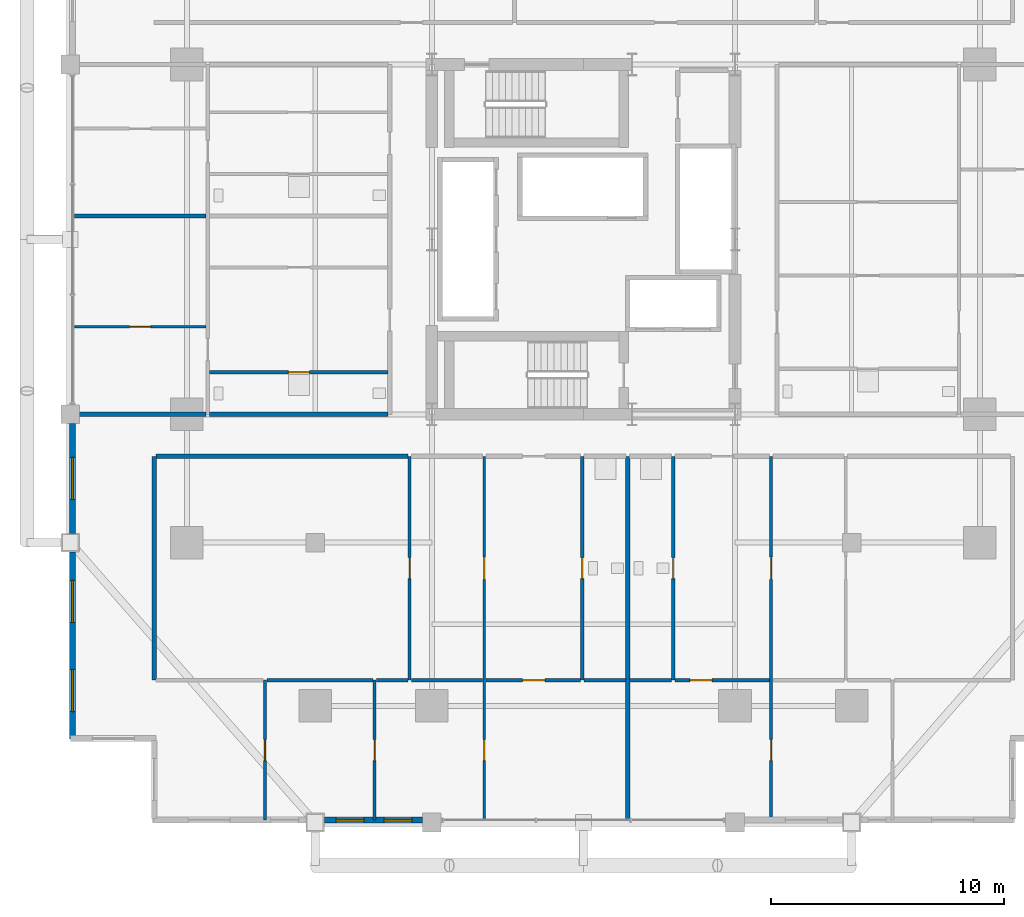
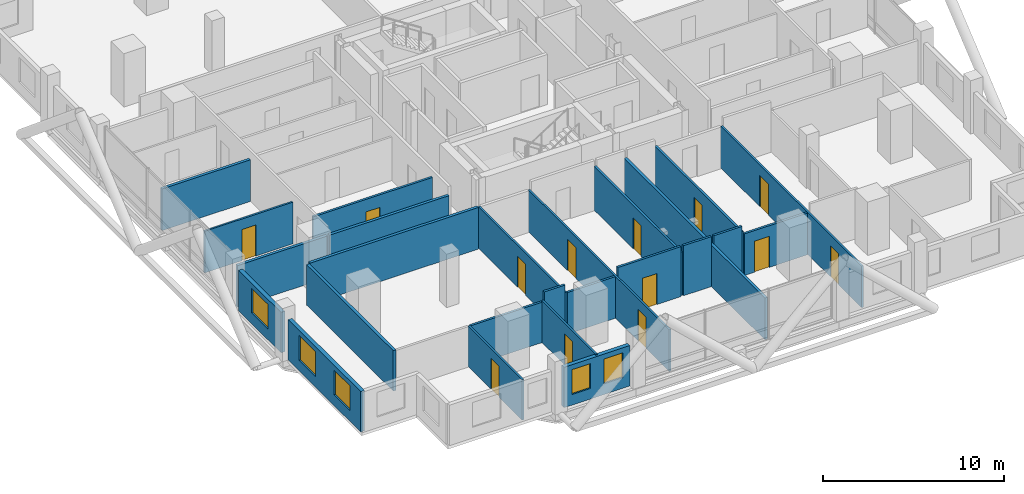
# One storey, part 21 of 27: 25 walls, 13 doors, 5 windows, 18 openings.
"""IFC4 building model written with IfcOpenShell, lengths in metres."""

from ifc_helpers import new_model, si_unit, direction, frame, frame_2d, origin, place, context, subcontext, project, spatial, rectangle, extrude, material, layer, layer_set, type_object, element, fill, save


model = new_model("IFC4")

# Units and contexts
model_context = context("Model", 3, precision=1e-05, world=origin(), true_north=direction((0.0, 1.0)))
body_context = subcontext(model_context, "Body", "Model", "MODEL_VIEW")
ifc_project = project(units=[si_unit("LENGTHUNIT", "METRE"), si_unit("AREAUNIT", "SQUARE_METRE"), si_unit("VOLUMEUNIT", "CUBIC_METRE"), si_unit("PLANEANGLEUNIT", "RADIAN"), si_unit("MASSUNIT", "GRAM", prefix="KILO")], contexts=[model_context])

# Site, building, storey
site_placement = place(None, origin())
site = spatial("IfcSite", under=ifc_project, at=site_placement, CompositionType="ELEMENT")
building_placement = place(site_placement, origin())
building = spatial("IfcBuilding", under=site, at=building_placement, Name="Barlavira Tower and Art Museum", CompositionType="ELEMENT")
storey_placement = place(building_placement, frame((0.0, 0.0, 50.39990234375)))
storey = spatial("IfcBuildingStorey", under=building, at=storey_placement, Name="L11", CompositionType="ELEMENT", Elevation=50.39990234375)

# Wall, opening, door
ifc_material_1 = material(Name="Gypsum acoustic stud partition", Category="gypsum")
ifc_layer_1 = layer(ifc_material_1, 0.1201171875, Name="Gypsum acoustic stud partition")
ifc_layer_set_1 = layer_set([ifc_layer_1], Name="Gypsum acoustic stud partition")
wall_type_1 = type_object("IfcWallType", Name="Apartment Internal Acoustic Partition 120", PredefinedType="PARTITIONING", material=ifc_layer_set_1)
wall_1_placement = place(storey_placement, frame((-13.64990234375, -24.89990234375, 0.0), z_axis=(0.0, 0.0, 1.0), x_axis=(0.0, 1.0, 0.0)))
wall_1 = element("IfcWall", 1, at=wall_1_placement, inside=storey, type_object=wall_type_1, Name="L11 Partition Wall 3", PredefinedType="PARTITIONING", context=body_context, shape_type="SweptSolid", body=[
    extrude(rectangle(XDim=6.0, YDim=0.1201171875, at=frame_2d((3.0, 0.0))), origin(), (0.0, 0.0, 1.0), 2.736083984375),
])
opening_1_placement = place(wall_1_placement, frame((2.550048828125, 0.0, 0.0)))
opening_1 = element("IfcOpeningElement", 2, at=opening_1_placement, cuts=wall_1, Name="Opening D-01", PredefinedType="OPENING", context=body_context, shape_type="SweptSolid", body=[
    extrude(rectangle(XDim=0.89990234375, YDim=2.10009765625, at=frame_2d((0.449951171875, 1.050048828125))), frame((0.0, 0.070068359375, 0.0), z_axis=(0.0, -1.0, 0.0), x_axis=(1.0, 0.0, 0.0)), (0.0, 0.0, 1.0), 0.14013671875),
])
ifc_material_2 = material(Name="Engineered coastal hardwood", Category="wood")
door_type_1 = type_object("IfcDoorType", Name="Internal Bedroom Timber Flush Door 900x2100", OperationType="NOTDEFINED", PredefinedType="DOOR", material=ifc_material_2)
door_1_placement = place(opening_1_placement, origin())
door_1 = element("IfcDoor", 3, at=door_1_placement, inside=storey, type_object=door_type_1, Name="Apartment S1 Bedroom 3 Door", OperationType="SINGLE_SWING_LEFT", OverallHeight=2.10009765625, OverallWidth=0.89990234375, PredefinedType="DOOR", context=body_context, shape_type="SweptSolid", body=[
    extrude(rectangle(XDim=0.89990234375, YDim=2.10009765625, at=frame_2d((0.449951171875, 1.050048828125))), frame((0.0, 0.02490234375, 0.0), z_axis=(0.0, -1.0, 0.0), x_axis=(1.0, 0.0, 0.0)), (0.0, 0.0, 1.0), 0.050048828125),
])
fill(opening_1, door_1)

wall_2_placement = place(storey_placement, frame((-8.949951171875, -24.89990234375, 0.0), z_axis=(0.0, 0.0, 1.0), x_axis=(0.0, 1.0, 0.0)))
wall_2 = element("IfcWall", 4, at=wall_2_placement, inside=storey, type_object=wall_type_1, Name="L11 Partition Wall 4", PredefinedType="PARTITIONING", context=body_context, shape_type="SweptSolid", body=[
    extrude(rectangle(XDim=6.0, YDim=0.1201171875, at=frame_2d((3.0, 0.0))), origin(), (0.0, 0.0, 1.0), 2.816162109375),
])
opening_2_placement = place(wall_2_placement, frame((2.550048828125, 0.0, 0.0)))
opening_2 = element("IfcOpeningElement", 5, at=opening_2_placement, cuts=wall_2, Name="Opening D-01", PredefinedType="OPENING", context=body_context, shape_type="SweptSolid", body=[
    extrude(rectangle(XDim=0.89990234375, YDim=2.10009765625, at=frame_2d((0.449951171875, 1.050048828125))), frame((0.0, 0.070068359375, 0.0), z_axis=(0.0, -1.0, 0.0), x_axis=(1.0, 0.0, 0.0)), (0.0, 0.0, 1.0), 0.14013671875),
])
door_2_placement = place(opening_2_placement, origin())
door_2 = element("IfcDoor", 6, at=door_2_placement, inside=storey, type_object=door_type_1, Name="Apartment S1 Bedroom 2 Door", OperationType="SINGLE_SWING_RIGHT", OverallHeight=2.10009765625, OverallWidth=0.89990234375, PredefinedType="DOOR", context=body_context, shape_type="SweptSolid", body=[
    extrude(rectangle(XDim=0.89990234375, YDim=2.10009765625, at=frame_2d((0.449951171875, 1.050048828125))), frame((0.0, 0.02490234375, 0.0), z_axis=(0.0, -1.0, 0.0), x_axis=(1.0, 0.0, 0.0)), (0.0, 0.0, 1.0), 0.050048828125),
])
fill(opening_2, door_2)

wall_3_placement = place(storey_placement, frame((-7.449951171875, -18.89990234375, 0.0), z_axis=(0.0, 0.0, 1.0), x_axis=(0.0, 1.0, 0.0)))
wall_3 = element("IfcWall", 7, at=wall_3_placement, inside=storey, type_object=wall_type_1, Name="L11 Partition Wall 6", PredefinedType="PARTITIONING", context=body_context, shape_type="SweptSolid", body=[
    extrude(rectangle(XDim=9.599853515625, YDim=0.1201171875, at=frame_2d((4.7998046875, 0.0))), origin(), (0.0, 0.0, 1.0), 2.816162109375),
])
opening_3_placement = place(wall_3_placement, frame((4.35009765625, 0.0, 0.0)))
opening_3 = element("IfcOpeningElement", 8, at=opening_3_placement, cuts=wall_3, Name="Opening D-01", PredefinedType="OPENING", context=body_context, shape_type="SweptSolid", body=[
    extrude(rectangle(XDim=0.89990234375, YDim=2.10009765625, at=frame_2d((0.449951171875, 1.050048828125))), frame((0.0, 0.070068359375, 0.0), z_axis=(0.0, -1.0, 0.0), x_axis=(1.0, 0.0, 0.0)), (0.0, 0.0, 1.0), 0.14013671875),
])
door_3_placement = place(opening_3_placement, origin())
door_3 = element("IfcDoor", 9, at=door_3_placement, inside=storey, type_object=door_type_1, Name="Apartment S1 Walk-In Dressing Room Door", OperationType="SINGLE_SWING_LEFT", OverallHeight=2.10009765625, OverallWidth=0.89990234375, PredefinedType="DOOR", context=body_context, shape_type="SweptSolid", body=[
    extrude(rectangle(XDim=0.89990234375, YDim=2.10009765625, at=frame_2d((0.449951171875, 1.050048828125))), frame((0.0, 0.02490234375, 0.0), z_axis=(0.0, -1.0, 0.0), x_axis=(1.0, 0.0, 0.0)), (0.0, 0.0, 1.0), 0.050048828125),
])
fill(opening_3, door_3)

# Wall, openings, doors
wall_4_placement = place(storey_placement, frame((-4.25, -24.89990234375, 0.0), z_axis=(0.0, 0.0, 1.0), x_axis=(0.0, 1.0, 0.0)))
wall_4 = element("IfcWall", 10, at=wall_4_placement, inside=storey, type_object=wall_type_1, Name="L11 Partition Wall 7", PredefinedType="PARTITIONING", context=body_context, shape_type="SweptSolid", body=[
    extrude(rectangle(XDim=15.599853515625, YDim=0.1201171875, at=frame_2d((7.7998046875, 0.0))), origin(), (0.0, 0.0, 1.0), 2.816162109375),
])
opening_4_placement = place(wall_4_placement, frame((10.324951171875, 0.0, 0.0)))
opening_4 = element("IfcOpeningElement", 11, at=opening_4_placement, cuts=wall_4, Name="Opening D-02", PredefinedType="OPENING", context=body_context, shape_type="SweptSolid", body=[
    extrude(rectangle(XDim=0.949951171875, YDim=2.10009765625, at=frame_2d((0.47509765625, 1.050048828125))), frame((0.0, 0.070068359375, 0.0), z_axis=(0.0, -1.0, 0.0), x_axis=(1.0, 0.0, 0.0)), (0.0, 0.0, 1.0), 0.14013671875),
])
opening_5_placement = place(wall_4_placement, frame((2.550048828125, 0.0, 0.0)))
opening_5 = element("IfcOpeningElement", 12, at=opening_5_placement, cuts=wall_4, Name="Opening D-01", PredefinedType="OPENING", context=body_context, shape_type="SweptSolid", body=[
    extrude(rectangle(XDim=0.89990234375, YDim=2.10009765625, at=frame_2d((0.449951171875, 1.050048828125))), frame((0.0, 0.070068359375, 0.0), z_axis=(0.0, -1.0, 0.0), x_axis=(1.0, 0.0, 0.0)), (0.0, 0.0, 1.0), 0.14013671875),
])
door_4_placement = place(opening_5_placement, origin())
door_4 = element("IfcDoor", 13, at=door_4_placement, inside=storey, type_object=door_type_1, Name="Apartment S1 Bedroom 1 Door", OperationType="SINGLE_SWING_LEFT", OverallHeight=2.10009765625, OverallWidth=0.89990234375, PredefinedType="DOOR", context=body_context, shape_type="SweptSolid", body=[
    extrude(rectangle(XDim=0.89990234375, YDim=2.10009765625, at=frame_2d((0.449951171875, 1.050048828125))), frame((0.0, 0.02490234375, 0.0), z_axis=(0.0, -1.0, 0.0), x_axis=(1.0, 0.0, 0.0)), (0.0, 0.0, 1.0), 0.050048828125),
])
fill(opening_5, door_4)
door_type_2 = type_object("IfcDoorType", Name="Living and Salon Glazed-Leaf Door 950x2100", OperationType="NOTDEFINED", PredefinedType="DOOR", material=ifc_material_2)
door_5_placement = place(opening_4_placement, origin())
door_5 = element("IfcDoor", 14, at=door_5_placement, inside=storey, type_object=door_type_2, Name="Apartment S1 Kitchen Door", OperationType="SINGLE_SWING_RIGHT", OverallHeight=2.10009765625, OverallWidth=0.949951171875, PredefinedType="DOOR", context=body_context, shape_type="SweptSolid", body=[
    extrude(rectangle(XDim=0.949951171875, YDim=2.10009765625, at=frame_2d((0.47509765625, 1.050048828125))), frame((0.0, 0.02490234375, 0.0), z_axis=(0.0, -1.0, 0.0), x_axis=(1.0, 0.0, 0.0)), (0.0, 0.0, 1.0), 0.050048828125),
])
fill(opening_4, door_5)

wall_5_placement = place(storey_placement, frame((8.050048828125, -24.89990234375, 0.0), z_axis=(0.0, 0.0, 1.0), x_axis=(0.0, 1.0, 0.0)))
wall_5 = element("IfcWall", 15, at=wall_5_placement, inside=storey, type_object=wall_type_1, Name="L11 Partition Wall 13", PredefinedType="PARTITIONING", context=body_context, shape_type="SweptSolid", body=[
    extrude(rectangle(XDim=15.599853515625, YDim=0.1201171875, at=frame_2d((7.7998046875, 0.0))), origin(), (0.0, 0.0, 1.0), 2.816162109375),
])
opening_6_placement = place(wall_5_placement, frame((10.324951171875, 0.0, 0.0)))
opening_6 = element("IfcOpeningElement", 16, at=opening_6_placement, cuts=wall_5, Name="Opening D-02", PredefinedType="OPENING", context=body_context, shape_type="SweptSolid", body=[
    extrude(rectangle(XDim=0.949951171875, YDim=2.10009765625, at=frame_2d((0.47509765625, 1.050048828125))), frame((0.0, 0.070068359375, 0.0), z_axis=(0.0, -1.0, 0.0), x_axis=(1.0, 0.0, 0.0)), (0.0, 0.0, 1.0), 0.14013671875),
])
opening_7_placement = place(wall_5_placement, frame((2.550048828125, 0.0, 0.0)))
opening_7 = element("IfcOpeningElement", 17, at=opening_7_placement, cuts=wall_5, Name="Opening D-01", PredefinedType="OPENING", context=body_context, shape_type="SweptSolid", body=[
    extrude(rectangle(XDim=0.89990234375, YDim=2.10009765625, at=frame_2d((0.449951171875, 1.050048828125))), frame((0.0, 0.070068359375, 0.0), z_axis=(0.0, -1.0, 0.0), x_axis=(1.0, 0.0, 0.0)), (0.0, 0.0, 1.0), 0.14013671875),
])
door_6_placement = place(opening_7_placement, origin())
door_6 = element("IfcDoor", 18, at=door_6_placement, inside=storey, type_object=door_type_1, Name="Apartment S2 Bedroom 1 Door", OperationType="SINGLE_SWING_LEFT", OverallHeight=2.10009765625, OverallWidth=0.89990234375, PredefinedType="DOOR", context=body_context, shape_type="SweptSolid", body=[
    extrude(rectangle(XDim=0.89990234375, YDim=2.10009765625, at=frame_2d((0.449951171875, 1.050048828125))), frame((0.0, 0.02490234375, 0.0), z_axis=(0.0, -1.0, 0.0), x_axis=(1.0, 0.0, 0.0)), (0.0, 0.0, 1.0), 0.050048828125),
])
fill(opening_7, door_6)
door_7_placement = place(opening_6_placement, origin())
door_7 = element("IfcDoor", 19, at=door_7_placement, inside=storey, type_object=door_type_2, Name="Apartment S2 Kitchen Door", OperationType="SINGLE_SWING_RIGHT", OverallHeight=2.10009765625, OverallWidth=0.949951171875, PredefinedType="DOOR", context=body_context, shape_type="SweptSolid", body=[
    extrude(rectangle(XDim=0.949951171875, YDim=2.10009765625, at=frame_2d((0.47509765625, 1.050048828125))), frame((0.0, 0.02490234375, 0.0), z_axis=(0.0, -1.0, 0.0), x_axis=(1.0, 0.0, 0.0)), (0.0, 0.0, 1.0), 0.050048828125),
])
fill(opening_6, door_7)

# Wall, opening, door
wall_6_placement = place(storey_placement, frame((-21.820068359375, -3.75, 0.0), z_axis=(0.0, 0.0, 1.0), x_axis=(1.0, 0.0, 0.0)))
wall_6 = element("IfcWall", 20, at=wall_6_placement, inside=storey, type_object=wall_type_1, Name="L11 Partition Wall 46", PredefinedType="PARTITIONING", context=body_context, shape_type="SweptSolid", body=[
    extrude(rectangle(XDim=5.64013671875, YDim=0.1201171875, at=frame_2d((2.820068359375, 0.0))), origin(), (0.0, 0.0, 1.0), 2.816162109375),
])
opening_8_placement = place(wall_6_placement, frame((2.3701171875, 0.0, 0.0)))
opening_8 = element("IfcOpeningElement", 21, at=opening_8_placement, cuts=wall_6, Name="Opening D-01", PredefinedType="OPENING", context=body_context, shape_type="SweptSolid", body=[
    extrude(rectangle(XDim=0.89990234375, YDim=2.10009765625, at=frame_2d((0.449951171875, 1.050048828125))), frame((0.0, 0.070068359375, 0.0), z_axis=(0.0, -1.0, 0.0), x_axis=(1.0, 0.0, 0.0)), (0.0, 0.0, 1.0), 0.14013671875),
])
door_8_placement = place(opening_8_placement, origin())
door_8 = element("IfcDoor", 22, at=door_8_placement, inside=storey, type_object=door_type_1, Name="Apartment W1 Bedroom 1 Door", OperationType="SINGLE_SWING_LEFT", OverallHeight=2.10009765625, OverallWidth=0.89990234375, PredefinedType="DOOR", context=body_context, shape_type="SweptSolid", body=[
    extrude(rectangle(XDim=0.89990234375, YDim=2.10009765625, at=frame_2d((0.449951171875, 1.050048828125))), frame((0.0, 0.02490234375, 0.0), z_axis=(0.0, -1.0, 0.0), x_axis=(1.0, 0.0, 0.0)), (0.0, 0.0, 1.0), 0.050048828125),
])
fill(opening_8, door_8)

# Walls
ifc_layer_2 = layer(ifc_material_1, 0.179931640625, Name="Gypsum acoustic stud partition")
ifc_layer_set_2 = layer_set([ifc_layer_2], Name="Gypsum acoustic stud partition")
wall_type_2 = type_object("IfcWallType", Name="Inter-Tenancy Party Partition Wall 180", PredefinedType="PARTITIONING", material=ifc_layer_set_2)
wall_7_placement = place(storey_placement, frame((-18.39990234375, -18.89990234375, 0.0), z_axis=(0.0, 0.0, 1.0), x_axis=(0.0, 1.0, 0.0)))
element("IfcWall", 23, at=wall_7_placement, inside=storey, type_object=wall_type_2, Name="L11 Partition Wall 1", PredefinedType="PARTITIONING", context=body_context, shape_type="SweptSolid", body=[
    extrude(rectangle(XDim=9.599853515625, YDim=0.179931640625, at=frame_2d((4.7998046875, 0.0))), origin(), (0.0, 0.0, 1.0), 2.736083984375),
])
wall_8_placement = place(storey_placement, frame((1.89990234375, -24.89990234375, 0.0), z_axis=(0.0, 0.0, 1.0), x_axis=(0.0, 1.0, 0.0)))
element("IfcWall", 24, at=wall_8_placement, inside=storey, type_object=wall_type_2, Name="L11 Partition Wall 10", PredefinedType="PARTITIONING", context=body_context, shape_type="SweptSolid", body=[
    extrude(rectangle(XDim=15.599853515625, YDim=0.179931640625, at=frame_2d((7.7998046875, 0.0))), origin(), (0.0, 0.0, 1.0), 2.816162109375),
])
wall_9_placement = place(storey_placement, frame((-18.320068359375, -9.300048828125, 0.0), z_axis=(0.0, 0.0, 1.0), x_axis=(1.0, 0.0, 0.0)))
element("IfcWall", 25, at=wall_9_placement, inside=storey, type_object=wall_type_2, Name="L11 Partition Wall 32", PredefinedType="PARTITIONING", context=body_context, shape_type="SweptSolid", body=[
    extrude(rectangle(XDim=10.7900390625, YDim=0.179931640625, at=frame_2d((5.39501953125, 0.0))), origin(), (0.0, 0.0, 1.0), 2.816162109375),
])
wall_10_placement = place(storey_placement, frame((-21.89990234375, -7.5, 0.0), z_axis=(0.0, 0.0, 1.0), x_axis=(1.0, 0.0, 0.0)))
element("IfcWall", 26, at=wall_10_placement, inside=storey, type_object=wall_type_2, Name="L11 Partition Wall 40", PredefinedType="PARTITIONING", context=body_context, shape_type="SweptSolid", body=[
    extrude(rectangle(XDim=5.719970703125, YDim=0.179931640625, at=frame_2d((2.85986328125, 0.0))), origin(), (0.0, 0.0, 1.0), 2.816162109375),
])
wall_11_placement = place(storey_placement, frame((-16.02001953125, -7.5, 0.0), z_axis=(0.0, 0.0, 1.0), x_axis=(1.0, 0.0, 0.0)))
element("IfcWall", 27, at=wall_11_placement, inside=storey, type_object=wall_type_2, Name="L11 Partition Wall 41", PredefinedType="PARTITIONING", context=body_context, shape_type="SweptSolid", body=[
    extrude(rectangle(XDim=7.64013671875, YDim=0.179931640625, at=frame_2d((3.820068359375, 0.0))), origin(), (0.0, 0.0, 1.0), 2.816162109375),
])
wall_12_placement = place(storey_placement, frame((-21.820068359375, 1.0, 0.0), z_axis=(0.0, 0.0, 1.0), x_axis=(1.0, 0.0, 0.0)))
element("IfcWall", 28, at=wall_12_placement, inside=storey, type_object=wall_type_2, Name="L11 Partition Wall 50", PredefinedType="PARTITIONING", context=body_context, shape_type="SweptSolid", body=[
    extrude(rectangle(XDim=5.64013671875, YDim=0.179931640625, at=frame_2d((2.820068359375, 0.0))), origin(), (0.0, 0.0, 1.0), 2.816162109375),
])

# Wall, opening, door
ifc_layer_3 = layer(ifc_material_1, 0.139892578125, Name="Gypsum acoustic stud partition")
ifc_layer_set_3 = layer_set([ifc_layer_3], Name="Gypsum acoustic stud partition")
wall_type_3 = type_object("IfcWallType", Name="Moisture-Resistant Bathroom Partition 140", PredefinedType="PARTITIONING", material=ifc_layer_set_3)
wall_13_placement = place(storey_placement, frame((-0.050048828125, -18.89990234375, 0.0), z_axis=(0.0, 0.0, 1.0), x_axis=(0.0, 1.0, 0.0)))
wall_13 = element("IfcWall", 29, at=wall_13_placement, inside=storey, type_object=wall_type_3, Name="L11 Partition Wall 9", PredefinedType="PARTITIONING", context=body_context, shape_type="SweptSolid", body=[
    extrude(rectangle(XDim=9.599853515625, YDim=0.139892578125, at=frame_2d((4.7998046875, 0.0))), origin(), (0.0, 0.0, 1.0), 2.947998046875),
])
opening_9_placement = place(wall_13_placement, frame((4.35009765625, 0.0, 0.0)))
opening_9 = element("IfcOpeningElement", 30, at=opening_9_placement, cuts=wall_13, Name="Opening D-WC", PredefinedType="OPENING", context=body_context, shape_type="SweptSolid", body=[
    extrude(rectangle(XDim=0.89990234375, YDim=2.10009765625, at=frame_2d((0.449951171875, 1.050048828125))), frame((0.0, 0.080078125, 0.0), z_axis=(0.0, -1.0, 0.0), x_axis=(1.0, 0.0, 0.0)), (0.0, 0.0, 1.0), 0.159912109375),
])
door_type_3 = type_object("IfcDoorType", Name="Accessible Bathroom Flush Door 900x2100", OperationType="NOTDEFINED", PredefinedType="DOOR", material=ifc_material_2)
door_9_placement = place(opening_9_placement, origin())
door_9 = element("IfcDoor", 31, at=door_9_placement, inside=storey, type_object=door_type_3, Name="Apartment S1 Hall Bathroom Door", OperationType="SINGLE_SWING_RIGHT", OverallHeight=2.10009765625, OverallWidth=0.89990234375, PredefinedType="DOOR", context=body_context, shape_type="SweptSolid", body=[
    extrude(rectangle(XDim=0.89990234375, YDim=2.10009765625, at=frame_2d((0.449951171875, 1.050048828125))), frame((0.0, 0.02490234375, 0.0), z_axis=(0.0, -1.0, 0.0), x_axis=(1.0, 0.0, 0.0)), (0.0, 0.0, 1.0), 0.050048828125),
])
fill(opening_9, door_9)

wall_14_placement = place(storey_placement, frame((3.85009765625, -18.89990234375, 0.0), z_axis=(0.0, 0.0, 1.0), x_axis=(0.0, 1.0, 0.0)))
wall_14 = element("IfcWall", 32, at=wall_14_placement, inside=storey, type_object=wall_type_3, Name="L11 Partition Wall 11", PredefinedType="PARTITIONING", context=body_context, shape_type="SweptSolid", body=[
    extrude(rectangle(XDim=9.599853515625, YDim=0.139892578125, at=frame_2d((4.7998046875, 0.0))), origin(), (0.0, 0.0, 1.0), 2.947998046875),
])
opening_10_placement = place(wall_14_placement, frame((4.35009765625, 0.0, 0.0)))
opening_10 = element("IfcOpeningElement", 33, at=opening_10_placement, cuts=wall_14, Name="Opening D-WC", PredefinedType="OPENING", context=body_context, shape_type="SweptSolid", body=[
    extrude(rectangle(XDim=0.89990234375, YDim=2.10009765625, at=frame_2d((0.449951171875, 1.050048828125))), frame((0.0, 0.080078125, 0.0), z_axis=(0.0, -1.0, 0.0), x_axis=(1.0, 0.0, 0.0)), (0.0, 0.0, 1.0), 0.159912109375),
])
door_10_placement = place(opening_10_placement, origin())
door_10 = element("IfcDoor", 34, at=door_10_placement, inside=storey, type_object=door_type_3, Name="Apartment S2 Hall Bathroom Door", OperationType="SINGLE_SWING_RIGHT", OverallHeight=2.10009765625, OverallWidth=0.89990234375, PredefinedType="DOOR", context=body_context, shape_type="SweptSolid", body=[
    extrude(rectangle(XDim=0.89990234375, YDim=2.10009765625, at=frame_2d((0.449951171875, 1.050048828125))), frame((0.0, 0.02490234375, 0.0), z_axis=(0.0, -1.0, 0.0), x_axis=(1.0, 0.0, 0.0)), (0.0, 0.0, 1.0), 0.050048828125),
])
fill(opening_10, door_10)

# Walls
wall_15_placement = place(storey_placement, frame((-13.570068359375, -18.89990234375, 0.0), z_axis=(0.0, 0.0, 1.0), x_axis=(1.0, 0.0, 0.0)))
element("IfcWall", 35, at=wall_15_placement, inside=storey, type_object=wall_type_3, Name="L11 Partition Wall 22", PredefinedType="PARTITIONING", context=body_context, shape_type="SweptSolid", body=[
    extrude(rectangle(XDim=4.5400390625, YDim=0.139892578125, at=frame_2d((2.27001953125, 0.0))), origin(), (0.0, 0.0, 1.0), 2.736083984375),
])
wall_16_placement = place(storey_placement, frame((-8.8701171875, -18.89990234375, 0.0), z_axis=(0.0, 0.0, 1.0), x_axis=(1.0, 0.0, 0.0)))
element("IfcWall", 36, at=wall_16_placement, inside=storey, type_object=wall_type_3, Name="L11 Partition Wall 23", PredefinedType="PARTITIONING", context=body_context, shape_type="SweptSolid", body=[
    extrude(rectangle(XDim=1.340087890625, YDim=0.139892578125, at=frame_2d((0.669921875, 0.0))), origin(), (0.0, 0.0, 1.0), 3.380126953125),
])
wall_17_placement = place(storey_placement, frame((-7.3701171875, -18.89990234375, 0.0), z_axis=(0.0, 0.0, 1.0), x_axis=(1.0, 0.0, 0.0)))
element("IfcWall", 37, at=wall_17_placement, inside=storey, type_object=wall_type_3, Name="L11 Partition Wall 24", PredefinedType="PARTITIONING", context=body_context, shape_type="SweptSolid", body=[
    extrude(rectangle(XDim=3.0400390625, YDim=0.139892578125, at=frame_2d((1.52001953125, 0.0))), origin(), (0.0, 0.0, 1.0), 2.816162109375),
])

# Wall, opening, door
wall_18_placement = place(storey_placement, frame((-4.169921875, -18.89990234375, 0.0), z_axis=(0.0, 0.0, 1.0), x_axis=(1.0, 0.0, 0.0)))
wall_18 = element("IfcWall", 38, at=wall_18_placement, inside=storey, type_object=wall_type_3, Name="L11 Partition Wall 25", PredefinedType="PARTITIONING", context=body_context, shape_type="SweptSolid", body=[
    extrude(rectangle(XDim=4.0400390625, YDim=0.139892578125, at=frame_2d((2.02001953125, 0.0))), origin(), (0.0, 0.0, 1.0), 3.380126953125),
])
opening_11_placement = place(wall_18_placement, frame((1.56494140625, 0.0, 0.0)))
opening_11 = element("IfcOpeningElement", 39, at=opening_11_placement, cuts=wall_18, Name="Opening D-02", PredefinedType="OPENING", context=body_context, shape_type="SweptSolid", body=[
    extrude(rectangle(XDim=0.949951171875, YDim=2.10009765625, at=frame_2d((0.47509765625, 1.050048828125))), frame((0.0, 0.080078125, 0.0), z_axis=(0.0, -1.0, 0.0), x_axis=(1.0, 0.0, 0.0)), (0.0, 0.0, 1.0), 0.159912109375),
])
door_11_placement = place(opening_11_placement, origin())
door_11 = element("IfcDoor", 40, at=door_11_placement, inside=storey, type_object=door_type_2, Name="Apartment S1 Living Lounge Door", OperationType="SINGLE_SWING_RIGHT", OverallHeight=2.10009765625, OverallWidth=0.949951171875, PredefinedType="DOOR", context=body_context, shape_type="SweptSolid", body=[
    extrude(rectangle(XDim=0.949951171875, YDim=2.10009765625, at=frame_2d((0.47509765625, 1.050048828125))), frame((0.0, 0.02490234375, 0.0), z_axis=(0.0, -1.0, 0.0), x_axis=(1.0, 0.0, 0.0)), (0.0, 0.0, 1.0), 0.050048828125),
])
fill(opening_11, door_11)

# Walls
for number, where, z_axis, x_axis, name in (
    (41, (0.030029296875, -18.89990234375, 0.0), (0.0, 0.0, 1.0), (1.0, 0.0, 0.0), "L11 Partition Wall 26"),
    (42, (1.97998046875, -18.89990234375, 0.0), (0.0, 0.0, 1.0), (1.0, 0.0, 0.0), "L11 Partition Wall 27"),
):
    element("IfcWall", number, at=place(storey_placement, frame(where, z_axis=z_axis, x_axis=x_axis)), inside=storey, type_object=wall_type_3, Name=name, PredefinedType="PARTITIONING", context=body_context, shape_type="SweptSolid", body=[
        extrude(rectangle(XDim=1.7900390625, YDim=0.139892578125, at=frame_2d((0.89501953125, 0.0))), origin(), (0.0, 0.0, 1.0), 3.380126953125),
    ])

# Wall, opening, door
wall_19_placement = place(storey_placement, frame((3.929931640625, -18.89990234375, 0.0), z_axis=(0.0, 0.0, 1.0), x_axis=(1.0, 0.0, 0.0)))
wall_19 = element("IfcWall", 43, at=wall_19_placement, inside=storey, type_object=wall_type_3, Name="L11 Partition Wall 28", PredefinedType="PARTITIONING", context=body_context, shape_type="SweptSolid", body=[
    extrude(rectangle(XDim=4.0400390625, YDim=0.139892578125, at=frame_2d((2.02001953125, 0.0))), origin(), (0.0, 0.0, 1.0), 2.816162109375),
])
opening_12_placement = place(wall_19_placement, frame((0.63818359375, 0.0, 0.0)))
opening_12 = element("IfcOpeningElement", 44, at=opening_12_placement, cuts=wall_19, Name="Opening D-02", PredefinedType="OPENING", context=body_context, shape_type="SweptSolid", body=[
    extrude(rectangle(XDim=0.949951171875, YDim=2.10009765625, at=frame_2d((0.47509765625, 1.050048828125))), frame((0.0, 0.080078125, 0.0), z_axis=(0.0, -1.0, 0.0), x_axis=(1.0, 0.0, 0.0)), (0.0, 0.0, 1.0), 0.159912109375),
])
door_12_placement = place(opening_12_placement, origin())
door_12 = element("IfcDoor", 45, at=door_12_placement, inside=storey, type_object=door_type_2, Name="Apartment S2 Living Lounge Door", OperationType="SINGLE_SWING_RIGHT", OverallHeight=2.10009765625, OverallWidth=0.949951171875, PredefinedType="DOOR", context=body_context, shape_type="SweptSolid", body=[
    extrude(rectangle(XDim=0.949951171875, YDim=2.10009765625, at=frame_2d((0.47509765625, 1.050048828125))), frame((0.0, 0.02490234375, 0.0), z_axis=(0.0, -1.0, 0.0), x_axis=(1.0, 0.0, 0.0)), (0.0, 0.0, 1.0), 0.050048828125),
])
fill(opening_12, door_12)

wall_20_placement = place(storey_placement, frame((-16.02001953125, -5.699951171875, 0.0), z_axis=(0.0, 0.0, 1.0), x_axis=(1.0, 0.0, 0.0)))
wall_20 = element("IfcWall", 46, at=wall_20_placement, inside=storey, type_object=wall_type_3, Name="L11 Partition Wall 44", PredefinedType="PARTITIONING", context=body_context, shape_type="SweptSolid", body=[
    extrude(rectangle(XDim=7.64013671875, YDim=0.139892578125, at=frame_2d((3.820068359375, 0.0))), origin(), (0.0, 0.0, 1.0), 2.947998046875),
])
opening_13_placement = place(wall_20_placement, frame((3.3701171875, 0.0, 0.0)))
opening_13 = element("IfcOpeningElement", 47, at=opening_13_placement, cuts=wall_20, Name="Opening D-WC", PredefinedType="OPENING", context=body_context, shape_type="SweptSolid", body=[
    extrude(rectangle(XDim=0.89990234375, YDim=2.10009765625, at=frame_2d((0.449951171875, 1.050048828125))), frame((0.0, 0.080078125, 0.0), z_axis=(0.0, -1.0, 0.0), x_axis=(1.0, 0.0, 0.0)), (0.0, 0.0, 1.0), 0.159912109375),
])
door_13_placement = place(opening_13_placement, origin())
door_13 = element("IfcDoor", 48, at=door_13_placement, inside=storey, type_object=door_type_3, Name="Apartment W1 Hall Bathroom Door", OperationType="SINGLE_SWING_LEFT", OverallHeight=2.10009765625, OverallWidth=0.89990234375, PredefinedType="DOOR", context=body_context, shape_type="SweptSolid", body=[
    extrude(rectangle(XDim=0.89990234375, YDim=2.10009765625, at=frame_2d((0.449951171875, 1.050048828125))), frame((0.0, 0.02490234375, 0.0), z_axis=(0.0, -1.0, 0.0), x_axis=(1.0, 0.0, 0.0)), (0.0, 0.0, 1.0), 0.050048828125),
])
fill(opening_13, door_13)

# Wall, openings, windows
ifc_material_3 = material(Name="Precast concrete C40", Category="concrete")
ifc_layer_4 = layer(ifc_material_3, 0.25, Name="Precast concrete C40")
ifc_layer_set_4 = layer_set([ifc_layer_4], Name="Precast concrete C40")
wall_type_4 = type_object("IfcWallType", Name="Notched Corner Spandrel Wall 250 Precast Concrete C40", PredefinedType="SOLIDWALL", material=ifc_layer_set_4)
wall_21_placement = place(storey_placement, frame((-11.10498046875, -24.89990234375, 0.0), z_axis=(0.0, 0.0, 1.0), x_axis=(1.0, 0.0, 0.0)))
wall_21 = element("IfcWall", 49, at=wall_21_placement, inside=storey, type_object=wall_type_4, Name="L11 Coastal Facade Pier Wall CW1-L11-S-2", PredefinedType="SOLIDWALL", context=body_context, shape_type="SweptSolid", body=[
    extrude(rectangle(XDim=4.2099609375, YDim=0.25, at=frame_2d((2.10498046875, 0.0))), origin(), (0.0, 0.0, 1.0), 2.736083984375),
])
opening_14_placement = place(wall_21_placement, frame((0.5, 0.0, 0.719970703125)))
opening_14 = element("IfcOpeningElement", 50, at=opening_14_placement, cuts=wall_21, Name="Opening WN-05", PredefinedType="OPENING", context=body_context, shape_type="SweptSolid", body=[
    extrude(rectangle(XDim=1.199951171875, YDim=1.679931640625, at=frame_2d((0.60009765625, 0.83984375))), frame((0.0, 0.135009765625, 0.0), z_axis=(0.0, -1.0, 0.0), x_axis=(1.0, 0.0, 0.0)), (0.0, 0.0, 1.0), 0.27001953125),
])
opening_15_placement = place(wall_21_placement, frame((2.56005859375, 0.0, 0.719970703125)))
opening_15 = element("IfcOpeningElement", 51, at=opening_15_placement, cuts=wall_21, Name="Opening WN-05", PredefinedType="OPENING", context=body_context, shape_type="SweptSolid", body=[
    extrude(rectangle(XDim=1.199951171875, YDim=1.679931640625, at=frame_2d((0.60009765625, 0.83984375))), frame((0.0, 0.135009765625, 0.0), z_axis=(0.0, -1.0, 0.0), x_axis=(1.0, 0.0, 0.0)), (0.0, 0.0, 1.0), 0.27001953125),
])
ifc_material_4 = material(Name="Low-iron coastal laminated glass", Category="glass")
window_type_1 = type_object("IfcWindowType", Name="Recessed Flank Pier Punch Window 1200x1680", PartitioningType="SINGLE_PANEL", PredefinedType="WINDOW", material=ifc_material_4)
window_1_placement = place(opening_14_placement, origin())
window_1 = element("IfcWindow", 52, at=window_1_placement, inside=storey, type_object=window_type_1, Name="L11 Punched Facade Window EWP-CW1-L11-S-2-1", OverallHeight=1.679931640625, OverallWidth=1.199951171875, PartitioningType="SINGLE_PANEL", PredefinedType="WINDOW", context=body_context, shape_type="SweptSolid", body=[
    extrude(rectangle(XDim=1.199951171875, YDim=1.679931640625, at=frame_2d((0.60009765625, 0.83984375))), frame((0.0, 0.030029296875, 0.0), z_axis=(0.0, -1.0, 0.0), x_axis=(1.0, 0.0, 0.0)), (0.0, 0.0, 1.0), 0.06005859375),
])
fill(opening_14, window_1)
window_2_placement = place(opening_15_placement, origin())
window_2 = element("IfcWindow", 53, at=window_2_placement, inside=storey, type_object=window_type_1, Name="L11 Punched Facade Window EWP-CW1-L11-S-2-2", OverallHeight=1.679931640625, OverallWidth=1.199951171875, PartitioningType="SINGLE_PANEL", PredefinedType="WINDOW", context=body_context, shape_type="SweptSolid", body=[
    extrude(rectangle(XDim=1.199951171875, YDim=1.679931640625, at=frame_2d((0.60009765625, 0.83984375))), frame((0.0, 0.030029296875, 0.0), z_axis=(0.0, -1.0, 0.0), x_axis=(1.0, 0.0, 0.0)), (0.0, 0.0, 1.0), 0.06005859375),
])
fill(opening_15, window_2)

# Wall, opening, window
wall_22_placement = place(storey_placement, frame((-21.89990234375, -7.89501953125, 0.0), z_axis=(0.0, 0.0, 1.0), x_axis=(0.0, -1.0, 0.0)))
wall_22 = element("IfcWall", 54, at=wall_22_placement, inside=storey, type_object=wall_type_4, Name="L11 Coastal Facade Pier Wall CW1-L11-W-4", PredefinedType="SOLIDWALL", context=body_context, shape_type="SweptSolid", body=[
    extrude(rectangle(XDim=4.7099609375, YDim=0.25, at=frame_2d((2.35498046875, 0.0))), origin(), (0.0, 0.0, 1.0), 2.736083984375),
])
opening_16_placement = place(wall_22_placement, frame((1.455078125, 0.0, 0.719970703125)))
opening_16 = element("IfcOpeningElement", 55, at=opening_16_placement, cuts=wall_22, Name="Opening WN-01", PredefinedType="OPENING", context=body_context, shape_type="SweptSolid", body=[
    extrude(rectangle(XDim=1.800048828125, YDim=1.679931640625, at=frame_2d((0.89990234375, 0.83984375))), frame((0.0, 0.135009765625, 0.0), z_axis=(0.0, -1.0, 0.0), x_axis=(1.0, 0.0, 0.0)), (0.0, 0.0, 1.0), 0.27001953125),
])
window_type_2 = type_object("IfcWindowType", Name="Recessed Notch Corner Punch Window 1800x1680", PartitioningType="SINGLE_PANEL", PredefinedType="WINDOW", material=ifc_material_4)
window_3_placement = place(opening_16_placement, origin())
window_3 = element("IfcWindow", 56, at=window_3_placement, inside=storey, type_object=window_type_2, Name="L11 Punched Facade Window EWP-CW1-L11-W-4-1", OverallHeight=1.679931640625, OverallWidth=1.800048828125, PartitioningType="SINGLE_PANEL", PredefinedType="WINDOW", context=body_context, shape_type="SweptSolid", body=[
    extrude(rectangle(XDim=1.800048828125, YDim=1.679931640625, at=frame_2d((0.89990234375, 0.83984375))), frame((0.0, 0.030029296875, 0.0), z_axis=(0.0, -1.0, 0.0), x_axis=(1.0, 0.0, 0.0)), (0.0, 0.0, 1.0), 0.06005859375),
])
fill(opening_16, window_3)

# Wall, openings, windows
wall_23_placement = place(storey_placement, frame((-21.89990234375, -13.39501953125, 0.0), z_axis=(0.0, 0.0, 1.0), x_axis=(0.0, -1.0, 0.0)))
wall_23 = element("IfcWall", 57, at=wall_23_placement, inside=storey, type_object=wall_type_4, Name="L11 Coastal Facade Pier Wall CW1-L11-W-5", PredefinedType="SOLIDWALL", context=body_context, shape_type="SweptSolid", body=[
    extrude(rectangle(XDim=8.030029296875, YDim=0.25, at=frame_2d((4.01513671875, 0.0))), origin(), (0.0, 0.0, 1.0), 2.736083984375),
])
opening_17_placement = place(wall_23_placement, frame((1.220947265625, 0.0, 0.719970703125)))
opening_17 = element("IfcOpeningElement", 58, at=opening_17_placement, cuts=wall_23, Name="Opening WN-01", PredefinedType="OPENING", context=body_context, shape_type="SweptSolid", body=[
    extrude(rectangle(XDim=1.800048828125, YDim=1.679931640625, at=frame_2d((0.89990234375, 0.83984375))), frame((0.0, 0.135009765625, 0.0), z_axis=(0.0, -1.0, 0.0), x_axis=(1.0, 0.0, 0.0)), (0.0, 0.0, 1.0), 0.27001953125),
])
opening_18_placement = place(wall_23_placement, frame((5.053955078125, 0.0, 0.719970703125)))
opening_18 = element("IfcOpeningElement", 59, at=opening_18_placement, cuts=wall_23, Name="Opening WN-01", PredefinedType="OPENING", context=body_context, shape_type="SweptSolid", body=[
    extrude(rectangle(XDim=1.800048828125, YDim=1.679931640625, at=frame_2d((0.89990234375, 0.83984375))), frame((0.0, 0.135009765625, 0.0), z_axis=(0.0, -1.0, 0.0), x_axis=(1.0, 0.0, 0.0)), (0.0, 0.0, 1.0), 0.27001953125),
])
window_4_placement = place(opening_17_placement, origin())
window_4 = element("IfcWindow", 60, at=window_4_placement, inside=storey, type_object=window_type_2, Name="L11 Punched Facade Window EWP-CW1-L11-W-5-1", OverallHeight=1.679931640625, OverallWidth=1.800048828125, PartitioningType="SINGLE_PANEL", PredefinedType="WINDOW", context=body_context, shape_type="SweptSolid", body=[
    extrude(rectangle(XDim=1.800048828125, YDim=1.679931640625, at=frame_2d((0.89990234375, 0.83984375))), frame((0.0, 0.030029296875, 0.0), z_axis=(0.0, -1.0, 0.0), x_axis=(1.0, 0.0, 0.0)), (0.0, 0.0, 1.0), 0.06005859375),
])
fill(opening_17, window_4)
window_5_placement = place(opening_18_placement, origin())
window_5 = element("IfcWindow", 61, at=window_5_placement, inside=storey, type_object=window_type_2, Name="L11 Punched Facade Window EWP-CW1-L11-W-5-2", OverallHeight=1.679931640625, OverallWidth=1.800048828125, PartitioningType="SINGLE_PANEL", PredefinedType="WINDOW", context=body_context, shape_type="SweptSolid", body=[
    extrude(rectangle(XDim=1.800048828125, YDim=1.679931640625, at=frame_2d((0.89990234375, 0.83984375))), frame((0.0, 0.030029296875, 0.0), z_axis=(0.0, -1.0, 0.0), x_axis=(1.0, 0.0, 0.0)), (0.0, 0.0, 1.0), 0.06005859375),
])
fill(opening_18, window_5)

save(model, "model.ifc")
